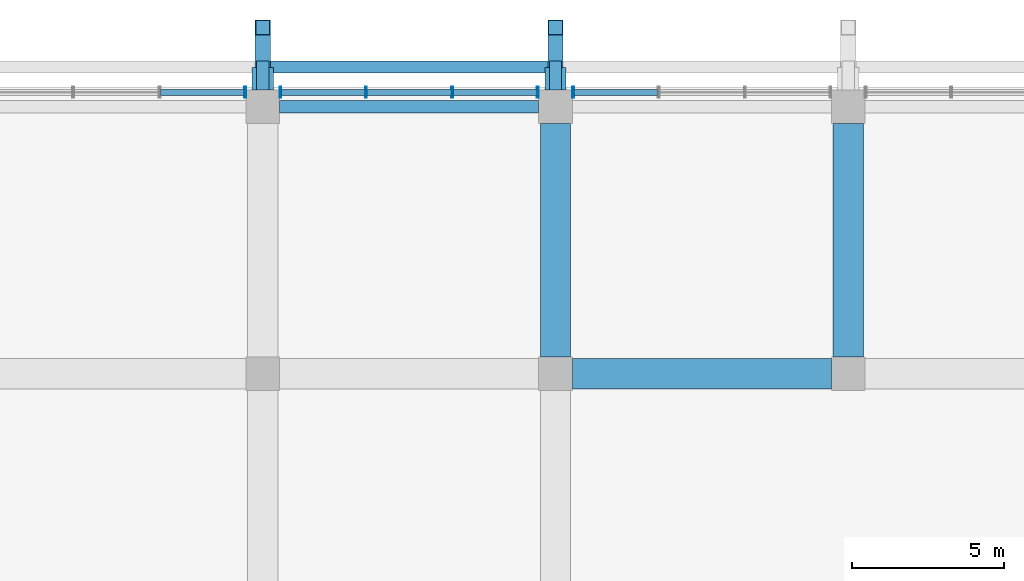
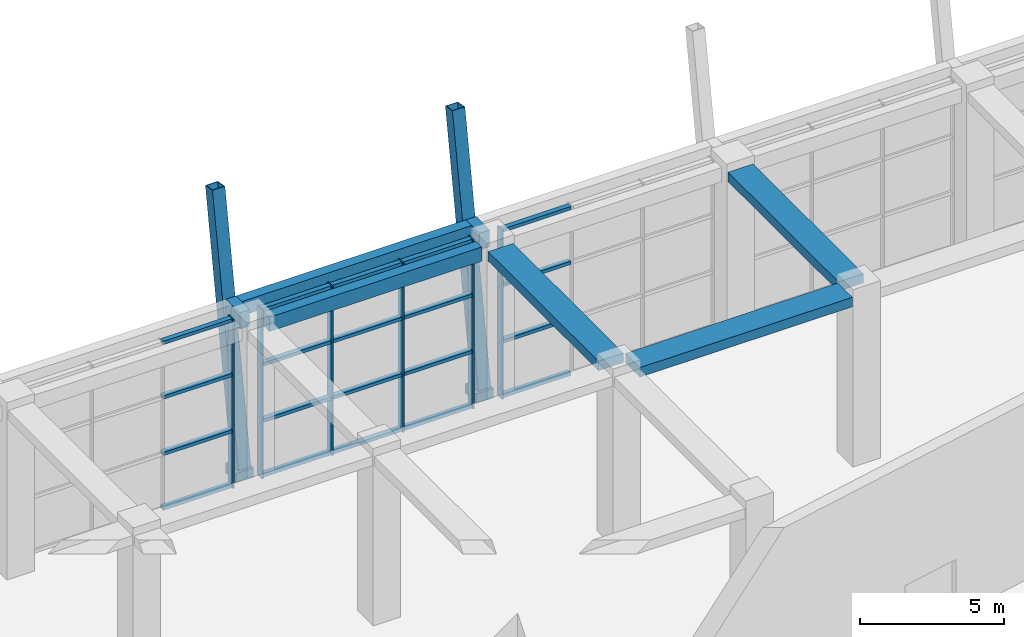
# One storey, part 9 of 36: 28 members, 9 beams, 3 elements without a shape of their own.
"""IFC4 building model written with IfcOpenShell, lengths in metres."""

from ifc_helpers import new_model, si_unit, direction, frame, origin, origin_2d, place, context, subcontext, project, spatial, rectangle, hollow_rectangle, extrude, material, layer, layer_set, material_profile, profile_set, type_object, element, aggregate, save


model = new_model("IFC4")

# Units and contexts
model_context = context("Model", 3, precision=1e-05, world=origin(), true_north=direction((0.0, 1.0)))
body_context = subcontext(model_context, "Body", "Model", "MODEL_VIEW")
ifc_project = project(units=[si_unit("LENGTHUNIT", "METRE"), si_unit("AREAUNIT", "SQUARE_METRE"), si_unit("VOLUMEUNIT", "CUBIC_METRE"), si_unit("PLANEANGLEUNIT", "RADIAN"), si_unit("MASSUNIT", "GRAM", prefix="KILO")], contexts=[model_context])

# Site, building, storey
site_placement = place(None, origin())
site = spatial("IfcSite", under=ifc_project, at=site_placement, CompositionType="ELEMENT")
building_placement = place(site_placement, origin())
building = spatial("IfcBuilding", under=site, at=building_placement, Name="Nzadi Deep Aquarium and Research Tower", CompositionType="ELEMENT")
storey_placement = place(building_placement, frame((0.0, 0.0, 14.199951171875)))
storey = spatial("IfcBuildingStorey", under=building, at=storey_placement, Name="L02", CompositionType="ELEMENT", Elevation=14.199951171875)

# Curtain wall, member
ifc_material_1 = material(Name="Aluminium unitised frame tall span", Category="aluminium")
ifc_layer = layer(ifc_material_1, 0.35009765625)
ifc_layer_set = layer_set([ifc_layer], Name="Aluminium unitised frame tall span")
curtain_wall_type = type_object("IfcCurtainWallType", Name="Curtain wall Podium 350", PredefinedType="NOTDEFINED", material=ifc_layer_set)
curtain_wall_1_placement = place(storey_placement, origin())
curtain_wall_1 = element("IfcCurtainWall", 1, at=curtain_wall_1_placement, inside=storey, type_object=curtain_wall_type, Name="North facade curtain wall L02", PredefinedType="NOTDEFINED")
ifc_material_2 = material(Name="Aluminium unitised frame tall span", Category="aluminium")
ifc_material_profile_1 = material_profile(ifc_material_2, hollow_rectangle(XDim=0.35009765625, YDim=0.06005859375, WallThickness=0.0048828125, at=origin_2d()))
ifc_profile_set_1 = profile_set([ifc_material_profile_1], Name="Aluminium unitised frame tall span")
member_type_1 = type_object("IfcMemberType", Name="Mullion 60x350 Podium", PredefinedType="MULLION", material=ifc_profile_set_1)
member_1_placement = place(storey_placement, frame((18.6201171875, 140.824951171875, 0.0), z_axis=(0.0, 0.0, 1.0), x_axis=(0.0, 1.0, 0.0)))
member_1 = element("IfcMember", 2, at=member_1_placement, type_object=member_type_1, Name="CW250 mullion 4", PredefinedType="MULLION", context=body_context, shape_type="SweptSolid", body=[
    extrude(hollow_rectangle(XDim=0.35009765625, YDim=0.06005859375, WallThickness=0.0048828125, at=origin_2d()), origin(), (0.0, 0.0, 1.0), 7.150146484375),
])

# Curtain wall, members
curtain_wall_2_placement = place(storey_placement, origin())
curtain_wall_2 = element("IfcCurtainWall", 3, at=curtain_wall_2_placement, inside=storey, type_object=curtain_wall_type, Name="North facade curtain wall L02", PredefinedType="NOTDEFINED")
member_2_placement = place(storey_placement, frame((19.780029296875, 140.824951171875, 0.0), z_axis=(0.0, 0.0, 1.0), x_axis=(0.0, 1.0, 0.0)))
member_2 = element("IfcMember", 4, at=member_2_placement, type_object=member_type_1, Name="CW251 mullion 1", PredefinedType="MULLION", context=body_context, shape_type="SweptSolid", body=[
    extrude(hollow_rectangle(XDim=0.35009765625, YDim=0.06005859375, WallThickness=0.0048828125, at=origin_2d()), origin(), (0.0, 0.0, 1.0), 7.150146484375),
])
member_3_placement = place(storey_placement, frame((22.583251953125, 140.824951171875, 0.0), z_axis=(0.0, 0.0, 1.0), x_axis=(0.0, 1.0, 0.0)))
member_3 = element("IfcMember", 5, at=member_3_placement, type_object=member_type_1, Name="CW251 mullion 2", PredefinedType="MULLION", context=body_context, shape_type="SweptSolid", body=[
    extrude(hollow_rectangle(XDim=0.35009765625, YDim=0.06005859375, WallThickness=0.0048828125, at=origin_2d()), origin(), (0.0, 0.0, 1.0), 7.150146484375),
])
member_4_placement = place(storey_placement, frame((25.416748046875, 140.824951171875, 0.0), z_axis=(0.0, 0.0, 1.0), x_axis=(0.0, 1.0, 0.0)))
member_4 = element("IfcMember", 6, at=member_4_placement, type_object=member_type_1, Name="CW251 mullion 3", PredefinedType="MULLION", context=body_context, shape_type="SweptSolid", body=[
    extrude(hollow_rectangle(XDim=0.35009765625, YDim=0.06005859375, WallThickness=0.0048828125, at=origin_2d()), origin(), (0.0, 0.0, 1.0), 7.150146484375),
])
member_5_placement = place(storey_placement, frame((28.219970703125, 140.824951171875, 0.0), z_axis=(0.0, 0.0, 1.0), x_axis=(0.0, 1.0, 0.0)))
member_5 = element("IfcMember", 7, at=member_5_placement, type_object=member_type_1, Name="CW251 mullion 4", PredefinedType="MULLION", context=body_context, shape_type="SweptSolid", body=[
    extrude(hollow_rectangle(XDim=0.35009765625, YDim=0.06005859375, WallThickness=0.0048828125, at=origin_2d()), origin(), (0.0, 0.0, 1.0), 7.150146484375),
])

# Curtain wall, member
curtain_wall_3_placement = place(storey_placement, origin())
curtain_wall_3 = element("IfcCurtainWall", 8, at=curtain_wall_3_placement, inside=storey, type_object=curtain_wall_type, Name="North facade curtain wall L02", PredefinedType="NOTDEFINED")
member_6_placement = place(storey_placement, frame((29.3798828125, 140.824951171875, 0.0), z_axis=(0.0, 0.0, 1.0), x_axis=(0.0, 1.0, 0.0)))
member_6 = element("IfcMember", 9, at=member_6_placement, type_object=member_type_1, Name="CW252 mullion 1", PredefinedType="MULLION", context=body_context, shape_type="SweptSolid", body=[
    extrude(hollow_rectangle(XDim=0.35009765625, YDim=0.06005859375, WallThickness=0.0048828125, at=origin_2d()), origin(), (0.0, 0.0, 1.0), 7.150146484375),
])

# Beams
ifc_material_3 = material(Name="Concrete C35/45", Category="concrete")
ifc_material_profile_2 = material_profile(ifc_material_3, rectangle(XDim=1.0, YDim=0.39990234375, at=origin_2d()))
ifc_profile_set_2 = profile_set([ifc_material_profile_2], Name="Concrete C35/45")
beam_type_1 = type_object("IfcBeamType", Name="RC 1000x400", PredefinedType="BEAM", material=ifc_profile_set_2)
beam_1_placement = place(storey_placement, frame((29.35009765625, 131.60009765625, 6.949951171875), z_axis=(1.0, 0.0, 0.0), x_axis=(0.0, 1.0, 0.0)))
element("IfcBeam", 10, at=beam_1_placement, inside=storey, type_object=beam_type_1, Name="B-Z3-L02-L17-4", PredefinedType="BEAM", context=body_context, shape_type="SweptSolid", body=[
    extrude(rectangle(XDim=1.0, YDim=0.39990234375, at=origin_2d()), origin(), (0.0, 0.0, 1.0), 8.5),
])
for number, where, z_axis, x_axis, name in (
    (11, (28.800048828125, 132.14990234375, 6.949951171875), (0.0, 1.0, 0.0), (-1.0, 0.0, 0.0), "B-Z3-L02-CD-5-13"),
    (12, (38.39990234375, 132.14990234375, 6.949951171875), (0.0, 1.0, 0.0), (-1.0, 0.0, 0.0), "B-Z3-L02-CE-5-13"),
):
    element("IfcBeam", number, at=place(storey_placement, frame(where, z_axis=z_axis, x_axis=x_axis)), inside=storey, type_object=beam_type_1, Name=name, PredefinedType="BEAM", context=body_context, shape_type="SweptSolid", body=[
        extrude(rectangle(XDim=1.0, YDim=0.39990234375, at=origin_2d()), origin(), (0.0, 0.0, 1.0), 7.650146484375),
    ])
ifc_material_4 = material(Name="Concrete C35/45", Category="concrete")
ifc_material_profile_3 = material_profile(ifc_material_4, rectangle(XDim=0.39990234375, YDim=0.60009765625, at=origin_2d()))
ifc_profile_set_3 = profile_set([ifc_material_profile_3], Name="Concrete C35/45")
beam_type_2 = type_object("IfcBeamType", Name="RC 400x600", PredefinedType="BEAM", material=ifc_profile_set_3)
beam_2_placement = place(storey_placement, frame((19.75, 140.35009765625, 6.85009765625), z_axis=(1.0, 0.0, 0.0), x_axis=(0.0, 1.0, 0.0)))
element("IfcBeam", 13, at=beam_2_placement, inside=storey, type_object=beam_type_2, Name="B-Z3-L02-L18-3", PredefinedType="BEAM", context=body_context, shape_type="SweptSolid", body=[
    extrude(rectangle(XDim=0.39990234375, YDim=0.60009765625, at=origin_2d()), origin(), (0.0, 0.0, 1.0), 8.5),
])
beam_3_placement = place(storey_placement, frame((19.39990234375, 141.64990234375, 6.85009765625), z_axis=(1.0, 0.0, 0.0), x_axis=(0.0, 1.0, 0.0)))
element("IfcBeam", 14, at=beam_3_placement, inside=storey, type_object=beam_type_2, Name="B-Z3-L03-TB3", PredefinedType="BEAM", context=body_context, shape_type="SweptSolid", body=[
    extrude(rectangle(XDim=0.39990234375, YDim=0.60009765625, at=origin_2d()), origin(), (0.0, 0.0, 1.0), 9.2001953125),
])
ifc_material_5 = material(Name="Concrete C35/45", Category="concrete")
ifc_material_profile_4 = material_profile(ifc_material_5, rectangle(XDim=0.39990234375, YDim=0.699951171875, at=origin_2d()))
ifc_profile_set_4 = profile_set([ifc_material_profile_4], Name="Concrete C35/45")
beam_type_3 = type_object("IfcBeamType", Name="RC 400x700", PredefinedType="BEAM", material=ifc_profile_set_4)
for number, where, z_axis, x_axis, name in (
    (15, (19.199951171875, 140.89990234375, 6.800048828125), (0.0, 1.0, 0.0), (-1.0, 0.0, 0.0), "B-Z3-L03-CB3"),
    (16, (28.800048828125, 140.89990234375, 6.800048828125), (0.0, 1.0, 0.0), (-1.0, 0.0, 0.0), "B-Z3-L03-CB4"),
):
    element("IfcBeam", number, at=place(storey_placement, frame(where, z_axis=z_axis, x_axis=x_axis)), inside=storey, type_object=beam_type_3, Name=name, PredefinedType="BEAM", context=body_context, shape_type="SweptSolid", body=[
        extrude(rectangle(XDim=0.39990234375, YDim=0.699951171875, at=origin_2d()), origin(), (0.0, 0.0, 1.0), 0.9501953125),
    ])
ifc_material_6 = material(Name="Concrete C35/45", Category="concrete")
ifc_material_profile_5 = material_profile(ifc_material_6, rectangle(XDim=0.699951171875, YDim=0.39990234375, at=origin_2d()))
ifc_profile_set_5 = profile_set([ifc_material_profile_5], Name="Concrete C35/45")
beam_type_4 = type_object("IfcBeamType", Name="RC 700x400", PredefinedType="BEAM", material=ifc_profile_set_5)
for number, where, z_axis, x_axis, name in (
    (17, (19.199951171875, 140.89990234375, 0.199951171875), (0.0, 1.0, 0.0), (-1.0, 0.0, 0.0), "Strut seat corbel"),
    (18, (28.800048828125, 140.89990234375, 0.199951171875), (0.0, 1.0, 0.0), (-1.0, 0.0, 0.0), "Strut seat corbel"),
):
    element("IfcBeam", number, at=place(storey_placement, frame(where, z_axis=z_axis, x_axis=x_axis)), inside=storey, type_object=beam_type_4, Name=name, PredefinedType="BEAM", context=body_context, shape_type="SweptSolid", body=[
        extrude(rectangle(XDim=0.699951171875, YDim=0.39990234375, at=origin_2d()), origin(), (0.0, 0.0, 1.0), 0.7431640625),
    ])

# Members
ifc_material_7 = material(Name="Steel S355", Category="steel")
ifc_material_profile_6 = material_profile(ifc_material_7, hollow_rectangle(XDim=0.5, YDim=0.5, WallThickness=0.02490234375, at=origin_2d()))
ifc_profile_set_6 = profile_set([ifc_material_profile_6], Name="Steel S355")
member_type_2 = type_object("IfcMemberType", Name="RHS 500x500x25", PredefinedType="BRACE", material=ifc_profile_set_6)
for number, where, z_axis, x_axis, name in (
    (19, (19.199951171875, 141.146484375, 0.44140625), (0.0, 0.165193111331, 0.986261241238), (-1.0, 0.0, 0.0), "MB-Z3-CAS-STRUT2"),
    (20, (28.800048828125, 141.146484375, 0.44140625), (0.0, 0.165193111331, 0.986261241238), (-1.0, 0.0, 0.0), "MB-Z3-CAS-STRUT3"),
):
    element("IfcMember", number, at=place(storey_placement, frame(where, z_axis=z_axis, x_axis=x_axis)), inside=storey, type_object=member_type_2, Name=name, PredefinedType="BRACE", context=body_context, shape_type="SweptSolid", body=[
        extrude(hollow_rectangle(XDim=0.5, YDim=0.5, WallThickness=0.02490234375, at=origin_2d()), origin(), (0.0, 0.0, 1.0), 10.917236328125),
    ])

# Member
ifc_material_8 = material(Name="Aluminium unitised frame tall span", Category="aluminium")
ifc_material_profile_7 = material_profile(ifc_material_8, hollow_rectangle(XDim=0.199951171875, YDim=0.139892578125, WallThickness=0.0048828125, at=origin_2d()))
ifc_profile_set_7 = profile_set([ifc_material_profile_7], Name="Aluminium unitised frame tall span")
member_type_3 = type_object("IfcMemberType", Name="Transom 140x200 Podium", PredefinedType="MULLION", material=ifc_profile_set_7)
member_7_placement = place(storey_placement, frame((15.8466796875, 140.824951171875, 0.070068359375), z_axis=(1.0, 0.0, 0.0), x_axis=(0.0, 1.0, 0.0)))
member_7 = element("IfcMember", 21, at=member_7_placement, type_object=member_type_3, Name="CW250 transom 3.1", PredefinedType="MULLION", context=body_context, shape_type="SweptSolid", body=[
    extrude(hollow_rectangle(XDim=0.199951171875, YDim=0.139892578125, WallThickness=0.0048828125, at=origin_2d()), origin(), (0.0, 0.0, 1.0), 2.743408203125),
])

member_8_placement = place(storey_placement, frame((15.8466796875, 140.824951171875, 2.383056640625), z_axis=(1.0, 0.0, 0.0), x_axis=(0.0, 1.0, 0.0)))
member_8 = element("IfcMember", 22, at=member_8_placement, type_object=member_type_3, Name="CW250 transom 3.2", PredefinedType="MULLION", context=body_context, shape_type="SweptSolid", body=[
    extrude(hollow_rectangle(XDim=0.199951171875, YDim=0.139892578125, WallThickness=0.0048828125, at=origin_2d()), origin(), (0.0, 0.0, 1.0), 2.743408203125),
])

member_9_placement = place(storey_placement, frame((15.8466796875, 140.824951171875, 4.76708984375), z_axis=(1.0, 0.0, 0.0), x_axis=(0.0, 1.0, 0.0)))
member_9 = element("IfcMember", 23, at=member_9_placement, type_object=member_type_3, Name="CW250 transom 3.3", PredefinedType="MULLION", context=body_context, shape_type="SweptSolid", body=[
    extrude(hollow_rectangle(XDim=0.199951171875, YDim=0.139892578125, WallThickness=0.0048828125, at=origin_2d()), origin(), (0.0, 0.0, 1.0), 2.743408203125),
])

member_10_placement = place(storey_placement, frame((15.8466796875, 140.824951171875, 7.080078125), z_axis=(1.0, 0.0, 0.0), x_axis=(0.0, 1.0, 0.0)))
member_10 = element("IfcMember", 24, at=member_10_placement, type_object=member_type_3, Name="CW250 transom 3.4", PredefinedType="MULLION", context=body_context, shape_type="SweptSolid", body=[
    extrude(hollow_rectangle(XDim=0.199951171875, YDim=0.139892578125, WallThickness=0.0048828125, at=origin_2d()), origin(), (0.0, 0.0, 1.0), 2.743408203125),
])

aggregate(curtain_wall_1, [member_1, member_7, member_8, member_9, member_10])

member_11_placement = place(storey_placement, frame((19.81005859375, 140.824951171875, 0.070068359375), z_axis=(1.0, 0.0, 0.0), x_axis=(0.0, 1.0, 0.0)))
member_11 = element("IfcMember", 25, at=member_11_placement, type_object=member_type_3, Name="CW251 transom 1.1", PredefinedType="MULLION", context=body_context, shape_type="SweptSolid", body=[
    extrude(hollow_rectangle(XDim=0.199951171875, YDim=0.139892578125, WallThickness=0.0048828125, at=origin_2d()), origin(), (0.0, 0.0, 1.0), 2.7431640625),
])

member_12_placement = place(storey_placement, frame((19.81005859375, 140.824951171875, 2.383056640625), z_axis=(1.0, 0.0, 0.0), x_axis=(0.0, 1.0, 0.0)))
member_12 = element("IfcMember", 26, at=member_12_placement, type_object=member_type_3, Name="CW251 transom 1.2", PredefinedType="MULLION", context=body_context, shape_type="SweptSolid", body=[
    extrude(hollow_rectangle(XDim=0.199951171875, YDim=0.139892578125, WallThickness=0.0048828125, at=origin_2d()), origin(), (0.0, 0.0, 1.0), 2.7431640625),
])

member_13_placement = place(storey_placement, frame((19.81005859375, 140.824951171875, 4.76708984375), z_axis=(1.0, 0.0, 0.0), x_axis=(0.0, 1.0, 0.0)))
member_13 = element("IfcMember", 27, at=member_13_placement, type_object=member_type_3, Name="CW251 transom 1.3", PredefinedType="MULLION", context=body_context, shape_type="SweptSolid", body=[
    extrude(hollow_rectangle(XDim=0.199951171875, YDim=0.139892578125, WallThickness=0.0048828125, at=origin_2d()), origin(), (0.0, 0.0, 1.0), 2.7431640625),
])

member_14_placement = place(storey_placement, frame((19.81005859375, 140.824951171875, 7.080078125), z_axis=(1.0, 0.0, 0.0), x_axis=(0.0, 1.0, 0.0)))
member_14 = element("IfcMember", 28, at=member_14_placement, type_object=member_type_3, Name="CW251 transom 1.4", PredefinedType="MULLION", context=body_context, shape_type="SweptSolid", body=[
    extrude(hollow_rectangle(XDim=0.199951171875, YDim=0.139892578125, WallThickness=0.0048828125, at=origin_2d()), origin(), (0.0, 0.0, 1.0), 2.7431640625),
])

member_15_placement = place(storey_placement, frame((22.61328125, 140.824951171875, 0.070068359375), z_axis=(1.0, 0.0, 0.0), x_axis=(0.0, 1.0, 0.0)))
member_15 = element("IfcMember", 29, at=member_15_placement, type_object=member_type_3, Name="CW251 transom 2.1", PredefinedType="MULLION", context=body_context, shape_type="SweptSolid", body=[
    extrude(hollow_rectangle(XDim=0.199951171875, YDim=0.139892578125, WallThickness=0.0048828125, at=origin_2d()), origin(), (0.0, 0.0, 1.0), 2.7734375),
])

member_16_placement = place(storey_placement, frame((22.61328125, 140.824951171875, 2.383056640625), z_axis=(1.0, 0.0, 0.0), x_axis=(0.0, 1.0, 0.0)))
member_16 = element("IfcMember", 30, at=member_16_placement, type_object=member_type_3, Name="CW251 transom 2.2", PredefinedType="MULLION", context=body_context, shape_type="SweptSolid", body=[
    extrude(hollow_rectangle(XDim=0.199951171875, YDim=0.139892578125, WallThickness=0.0048828125, at=origin_2d()), origin(), (0.0, 0.0, 1.0), 2.7734375),
])

member_17_placement = place(storey_placement, frame((22.61328125, 140.824951171875, 4.76708984375), z_axis=(1.0, 0.0, 0.0), x_axis=(0.0, 1.0, 0.0)))
member_17 = element("IfcMember", 31, at=member_17_placement, type_object=member_type_3, Name="CW251 transom 2.3", PredefinedType="MULLION", context=body_context, shape_type="SweptSolid", body=[
    extrude(hollow_rectangle(XDim=0.199951171875, YDim=0.139892578125, WallThickness=0.0048828125, at=origin_2d()), origin(), (0.0, 0.0, 1.0), 2.7734375),
])

member_18_placement = place(storey_placement, frame((22.61328125, 140.824951171875, 7.080078125), z_axis=(1.0, 0.0, 0.0), x_axis=(0.0, 1.0, 0.0)))
member_18 = element("IfcMember", 32, at=member_18_placement, type_object=member_type_3, Name="CW251 transom 2.4", PredefinedType="MULLION", context=body_context, shape_type="SweptSolid", body=[
    extrude(hollow_rectangle(XDim=0.199951171875, YDim=0.139892578125, WallThickness=0.0048828125, at=origin_2d()), origin(), (0.0, 0.0, 1.0), 2.7734375),
])

member_19_placement = place(storey_placement, frame((25.44677734375, 140.824951171875, 0.070068359375), z_axis=(1.0, 0.0, 0.0), x_axis=(0.0, 1.0, 0.0)))
member_19 = element("IfcMember", 33, at=member_19_placement, type_object=member_type_3, Name="CW251 transom 3.1", PredefinedType="MULLION", context=body_context, shape_type="SweptSolid", body=[
    extrude(hollow_rectangle(XDim=0.199951171875, YDim=0.139892578125, WallThickness=0.0048828125, at=origin_2d()), origin(), (0.0, 0.0, 1.0), 2.7431640625),
])

member_20_placement = place(storey_placement, frame((25.44677734375, 140.824951171875, 2.383056640625), z_axis=(1.0, 0.0, 0.0), x_axis=(0.0, 1.0, 0.0)))
member_20 = element("IfcMember", 34, at=member_20_placement, type_object=member_type_3, Name="CW251 transom 3.2", PredefinedType="MULLION", context=body_context, shape_type="SweptSolid", body=[
    extrude(hollow_rectangle(XDim=0.199951171875, YDim=0.139892578125, WallThickness=0.0048828125, at=origin_2d()), origin(), (0.0, 0.0, 1.0), 2.7431640625),
])

member_21_placement = place(storey_placement, frame((25.44677734375, 140.824951171875, 4.76708984375), z_axis=(1.0, 0.0, 0.0), x_axis=(0.0, 1.0, 0.0)))
member_21 = element("IfcMember", 35, at=member_21_placement, type_object=member_type_3, Name="CW251 transom 3.3", PredefinedType="MULLION", context=body_context, shape_type="SweptSolid", body=[
    extrude(hollow_rectangle(XDim=0.199951171875, YDim=0.139892578125, WallThickness=0.0048828125, at=origin_2d()), origin(), (0.0, 0.0, 1.0), 2.7431640625),
])

member_22_placement = place(storey_placement, frame((25.44677734375, 140.824951171875, 7.080078125), z_axis=(1.0, 0.0, 0.0), x_axis=(0.0, 1.0, 0.0)))
member_22 = element("IfcMember", 36, at=member_22_placement, type_object=member_type_3, Name="CW251 transom 3.4", PredefinedType="MULLION", context=body_context, shape_type="SweptSolid", body=[
    extrude(hollow_rectangle(XDim=0.199951171875, YDim=0.139892578125, WallThickness=0.0048828125, at=origin_2d()), origin(), (0.0, 0.0, 1.0), 2.7431640625),
])

aggregate(curtain_wall_2, [member_2, member_3, member_4, member_5, member_11, member_12, member_13, member_14, member_15, member_16, member_17, member_18, member_19, member_20, member_21, member_22])

member_23_placement = place(storey_placement, frame((29.409912109375, 140.824951171875, 0.070068359375), z_axis=(1.0, 0.0, 0.0), x_axis=(0.0, 1.0, 0.0)))
member_23 = element("IfcMember", 37, at=member_23_placement, type_object=member_type_3, Name="CW252 transom 1.1", PredefinedType="MULLION", context=body_context, shape_type="SweptSolid", body=[
    extrude(hollow_rectangle(XDim=0.199951171875, YDim=0.139892578125, WallThickness=0.0048828125, at=origin_2d()), origin(), (0.0, 0.0, 1.0), 2.743408203125),
])

member_24_placement = place(storey_placement, frame((29.409912109375, 140.824951171875, 2.383056640625), z_axis=(1.0, 0.0, 0.0), x_axis=(0.0, 1.0, 0.0)))
member_24 = element("IfcMember", 38, at=member_24_placement, type_object=member_type_3, Name="CW252 transom 1.2", PredefinedType="MULLION", context=body_context, shape_type="SweptSolid", body=[
    extrude(hollow_rectangle(XDim=0.199951171875, YDim=0.139892578125, WallThickness=0.0048828125, at=origin_2d()), origin(), (0.0, 0.0, 1.0), 2.743408203125),
])

member_25_placement = place(storey_placement, frame((29.409912109375, 140.824951171875, 4.76708984375), z_axis=(1.0, 0.0, 0.0), x_axis=(0.0, 1.0, 0.0)))
member_25 = element("IfcMember", 39, at=member_25_placement, type_object=member_type_3, Name="CW252 transom 1.3", PredefinedType="MULLION", context=body_context, shape_type="SweptSolid", body=[
    extrude(hollow_rectangle(XDim=0.199951171875, YDim=0.139892578125, WallThickness=0.0048828125, at=origin_2d()), origin(), (0.0, 0.0, 1.0), 2.743408203125),
])

member_26_placement = place(storey_placement, frame((29.409912109375, 140.824951171875, 7.080078125), z_axis=(1.0, 0.0, 0.0), x_axis=(0.0, 1.0, 0.0)))
member_26 = element("IfcMember", 40, at=member_26_placement, type_object=member_type_3, Name="CW252 transom 1.4", PredefinedType="MULLION", context=body_context, shape_type="SweptSolid", body=[
    extrude(hollow_rectangle(XDim=0.199951171875, YDim=0.139892578125, WallThickness=0.0048828125, at=origin_2d()), origin(), (0.0, 0.0, 1.0), 2.743408203125),
])

aggregate(curtain_wall_3, [member_6, member_23, member_24, member_25, member_26])

save(model, "model.ifc")
